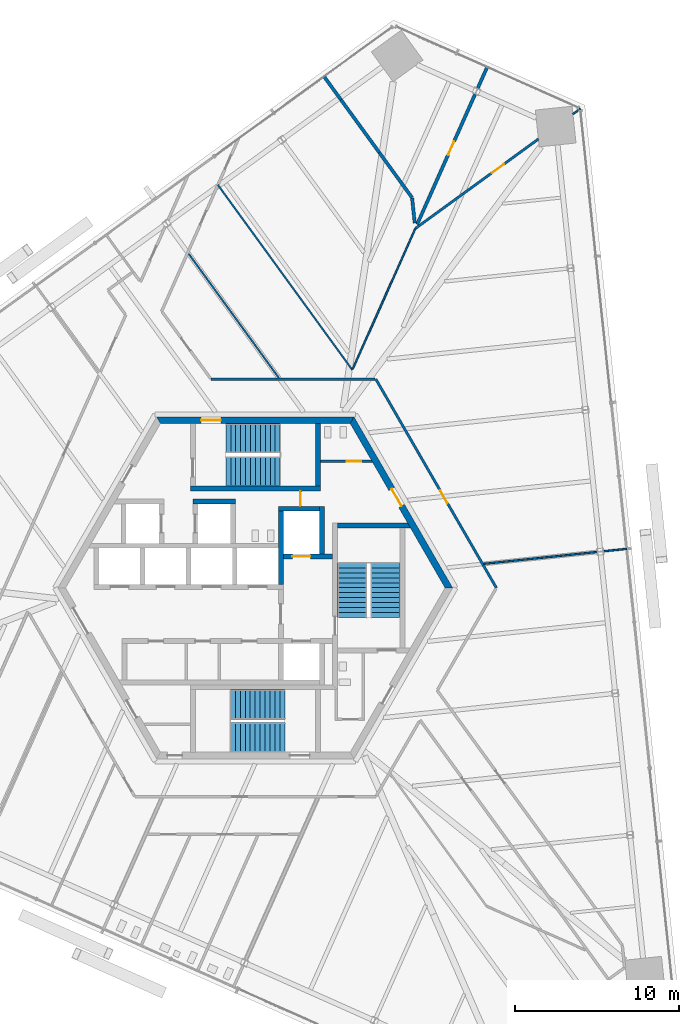
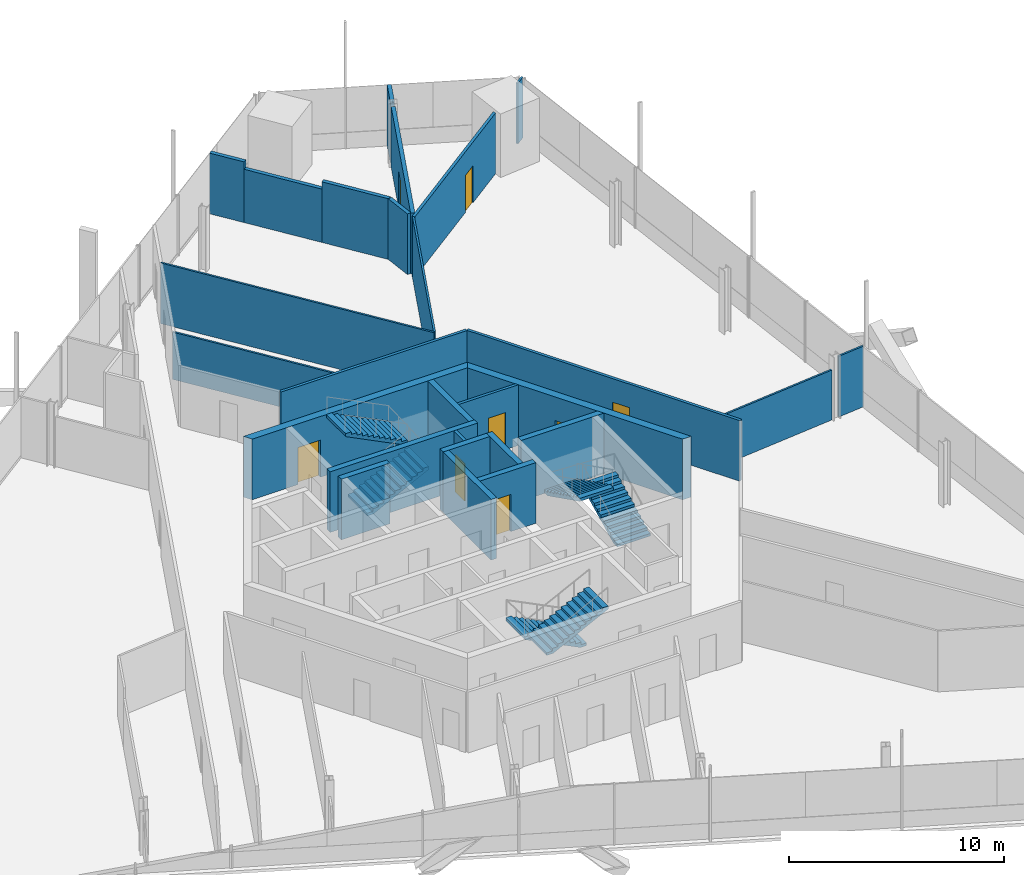
# One storey, part 14 of 21: 27 walls, 8 doors, 6 stair flights, 8 openings, 3 elements without a shape of their own.
"""IFC4 building model written with IfcOpenShell, lengths in metres."""

from ifc_helpers import new_model, si_unit, direction, frame, frame_2d, origin, place, context, subcontext, project, spatial, polyline, rectangle, outline, extrude, source, transform, mapped, material, layer, layer_set, type_object, element, fill, aggregate, save


model = new_model("IFC4")

# Units and contexts
model_context = context("Model", 3, precision=1e-05, world=origin(), true_north=direction((0.0, 1.0)))
body_context = subcontext(model_context, "Body", "Model", "MODEL_VIEW")
ifc_project = project(units=[si_unit("LENGTHUNIT", "METRE"), si_unit("AREAUNIT", "SQUARE_METRE"), si_unit("VOLUMEUNIT", "CUBIC_METRE"), si_unit("PLANEANGLEUNIT", "RADIAN"), si_unit("MASSUNIT", "GRAM", prefix="KILO")], contexts=[model_context])

# Site, building, storey
site_placement = place(None, origin())
site = spatial("IfcSite", under=ifc_project, at=site_placement, CompositionType="ELEMENT")
building_placement = place(site_placement, origin())
building = spatial("IfcBuilding", under=site, at=building_placement, Name="Triune Harvest Tower", CompositionType="ELEMENT")
storey_placement = place(building_placement, frame((0.0, 0.0, 72.89990234375)))
storey = spatial("IfcBuildingStorey", under=building, at=storey_placement, Name="L17", CompositionType="ELEMENT", Elevation=72.89990234375)

# Wall
ifc_material_1 = material(Name="Gypsum board on steel studs", Category="steel")
ifc_layer_1 = layer(ifc_material_1, 0.14990234375)
ifc_layer_set_1 = layer_set([ifc_layer_1], Name="Gypsum board on steel studs")
wall_type_1 = type_object("IfcWallType", Name="Fire Partition 150 mm", PredefinedType="PARTITIONING", material=ifc_layer_set_1)
wall_1_placement = place(storey_placement, frame((-2.693603515625, 12.6923828125, 0.0), z_axis=(0.0, 0.0, 1.0), x_axis=(1.0, 0.0, 0.0)))
element("IfcWall", 1, at=wall_1_placement, inside=storey, type_object=wall_type_1, Name="Partition L17 021", PredefinedType="PARTITIONING", context=body_context, shape_type="SweptSolid", body=[
    extrude(rectangle(XDim=9.971435546875, YDim=0.14990234375, at=frame_2d((4.98583984375, 0.0))), origin(), (0.0, 0.0, 1.0), 3.440185546875),
])

# Wall, opening, door
wall_2_placement = place(storey_placement, frame((9.736328125, 21.855712890625, 0.0), z_axis=(0.0, 0.0, 1.0), x_axis=(0.809001956187, 0.587805950025, 0.0)))
wall_2 = element("IfcWall", 2, at=wall_2_placement, inside=storey, type_object=wall_type_1, Name="Partition L17 026", PredefinedType="PARTITIONING", context=body_context, shape_type="SweptSolid", body=[
    extrude(rectangle(XDim=9.249267578125, YDim=0.14990234375, at=frame_2d((4.62451171875, 0.0))), origin(), (0.0, 0.0, 1.0), 3.440185546875),
])
opening_1_placement = place(wall_2_placement, frame((5.740234375, 0.0, 0.0)))
opening_1 = element("IfcOpeningElement", 3, at=opening_1_placement, cuts=wall_2, Name="Opening L17-004", PredefinedType="OPENING", context=body_context, shape_type="SweptSolid", body=[
    extrude(rectangle(XDim=0.89990234375, YDim=2.10009765625, at=frame_2d((0.449951171875, 1.050048828125))), frame((0.0, 0.0849609375, 0.0), z_axis=(0.0, -1.0, 0.0), x_axis=(1.0, 0.0, 0.0)), (0.0, 0.0, 1.0), 0.169921875),
])
ifc_material_2 = material(Name="Timber and steel door set", Category="steel")
door_type_1 = type_object("IfcDoorType", Name="Single leaf door FD30 right hand 900 x 2100", OperationType="SINGLE_SWING_RIGHT", PredefinedType="DOOR", material=ifc_material_2)
door_1_placement = place(opening_1_placement, origin())
door_1 = element("IfcDoor", 4, at=door_1_placement, inside=storey, type_object=door_type_1, Name="Door L17-004 Specimen Store 17.04", OperationType="SINGLE_SWING_RIGHT", OverallHeight=2.10009765625, OverallWidth=0.89990234375, PredefinedType="DOOR", context=body_context, shape_type="SweptSolid", body=[
    extrude(rectangle(XDim=0.89990234375, YDim=2.10009765625, at=frame_2d((0.449951171875, 1.050048828125))), frame((0.0, 0.02490234375, 0.0), z_axis=(0.0, -1.0, 0.0), x_axis=(1.0, 0.0, 0.0)), (0.0, 0.0, 1.0), 0.050048828125),
])
fill(opening_1, door_1)

# Walls
ifc_material_3 = material(Name="Gypsum board on steel studs", Category="steel")
ifc_layer_2 = layer(ifc_material_3, 0.199951171875)
ifc_layer_set_2 = layer_set([ifc_layer_2], Name="Gypsum board on steel studs")
wall_type_2 = type_object("IfcWallType", Name="Fire Wall 200 mm", PredefinedType="PARTITIONING", material=ifc_layer_set_2)
wall_3_placement = place(storey_placement, frame((9.5341796875, 23.6943359375, 0.0), z_axis=(0.0, 0.0, 1.0), x_axis=(0.104576410013, -0.994516854794, 0.0)))
element("IfcWall", 5, at=wall_3_placement, inside=storey, type_object=wall_type_2, Name="Partition L17 001", PredefinedType="PARTITIONING", context=body_context, shape_type="SweptSolid", body=[
    extrude(rectangle(XDim=1.5244140625, YDim=0.199951171875, at=frame_2d((0.76220703125, 0.0))), origin(), (0.0, 0.0, 1.0), 3.440185546875),
])
wall_4_placement = place(storey_placement, frame((4.17822265625, 31.091796875, 0.0), z_axis=(0.0, 0.0, 1.0), x_axis=(0.587775232345, -0.809024274198, 0.0)))
element("IfcWall", 6, at=wall_4_placement, inside=storey, type_object=wall_type_2, Name="Partition L17 017", PredefinedType="PARTITIONING", context=body_context, shape_type="SweptSolid", body=[
    extrude(rectangle(XDim=1.7578125, YDim=0.199951171875, at=frame_2d((0.87890625, 0.0))), origin(), (0.0, 0.0, 1.0), 3.440185546875),
])
wall_5_placement = place(storey_placement, frame((5.21142578125, 29.669677734375, 0.0), z_axis=(0.0, 0.0, 1.0), x_axis=(0.587818894271, -0.808992550978, 0.0)))
element("IfcWall", 7, at=wall_5_placement, inside=storey, type_object=wall_type_2, Name="Partition L17 017a", PredefinedType="PARTITIONING", context=body_context, shape_type="SweptSolid", body=[
    extrude(rectangle(XDim=3.95068359375, YDim=0.199951171875, at=frame_2d((1.975341796875, 0.0))), origin(), (0.0, 0.0, 1.0), 3.0234375),
])
wall_6_placement = place(storey_placement, frame((7.53369140625, 26.4736328125, 0.0), z_axis=(0.0, 0.0, 1.0), x_axis=(0.587770114755, -0.809027992223, 0.0)))
element("IfcWall", 8, at=wall_6_placement, inside=storey, type_object=wall_type_2, Name="Partition L17 017b", PredefinedType="PARTITIONING", context=body_context, shape_type="SweptSolid", body=[
    extrude(rectangle(XDim=3.3984375, YDim=0.199951171875, at=frame_2d((1.69921875, 0.0))), origin(), (0.0, 0.0, 1.0), 3.440185546875),
])

# Wall, opening, door
wall_7_placement = place(storey_placement, frame((9.842041015625, 22.105712890625, 0.0), z_axis=(0.0, 0.0, 1.0), x_axis=(0.406731671109, 0.913547671289, 0.0)))
wall_7 = element("IfcWall", 9, at=wall_7_placement, inside=storey, type_object=wall_type_2, Name="Partition L17 038", PredefinedType="PARTITIONING", context=body_context, shape_type="SweptSolid", body=[
    extrude(rectangle(XDim=8.6669921875, YDim=0.199951171875, at=frame_2d((4.33349609375, 0.0))), origin(), (0.0, 0.0, 1.0), 3.440185546875),
])
opening_2_placement = place(wall_7_placement, frame((4.60888671875, 0.0, 0.0)))
opening_2 = element("IfcOpeningElement", 10, at=opening_2_placement, cuts=wall_7, Name="Opening L17-005", PredefinedType="OPENING", context=body_context, shape_type="SweptSolid", body=[
    extrude(rectangle(XDim=0.89990234375, YDim=2.10009765625, at=frame_2d((0.449951171875, 1.050048828125))), frame((0.0, 0.10986328125, 0.0), z_axis=(0.0, -1.0, 0.0), x_axis=(1.0, 0.0, 0.0)), (0.0, 0.0, 1.0), 0.219970703125),
])
ifc_material_4 = material(Name="Timber and steel door set", Category="steel")
door_type_2 = type_object("IfcDoorType", Name="Single leaf door FD60 right hand 900 x 2100", OperationType="SINGLE_SWING_RIGHT", PredefinedType="DOOR", material=ifc_material_4)
door_2_placement = place(opening_2_placement, origin())
door_2 = element("IfcDoor", 11, at=door_2_placement, inside=storey, type_object=door_type_2, Name="Door L17-005 Commercial Trial Kitchen 17.05", OperationType="SINGLE_SWING_RIGHT", OverallHeight=2.10009765625, OverallWidth=0.89990234375, PredefinedType="DOOR", context=body_context, shape_type="SweptSolid", body=[
    extrude(rectangle(XDim=0.89990234375, YDim=2.10009765625, at=frame_2d((0.449951171875, 1.050048828125))), frame((0.0, 0.02490234375, 0.0), z_axis=(0.0, -1.0, 0.0), x_axis=(1.0, 0.0, 0.0)), (0.0, 0.0, 1.0), 0.050048828125),
])
fill(opening_2, door_2)

# Walls
wall_8_placement = place(storey_placement, frame((13.51904296875, 30.36474609375, 0.0), z_axis=(0.0, 0.0, 1.0), x_axis=(0.40676126154, 0.913534496399, 0.0)))
element("IfcWall", 12, at=wall_8_placement, inside=storey, type_object=wall_type_2, Name="Partition L17 039", PredefinedType="PARTITIONING", context=body_context, shape_type="SweptSolid", body=[
    extrude(rectangle(XDim=1.418212890625, YDim=0.199951171875, at=frame_2d((0.708984375, 0.0))), origin(), (0.0, 0.0, 1.0), 3.440185546875),
])
ifc_material_5 = material(Name="Gypsum board on steel studs", Category="steel")
ifc_layer_3 = layer(ifc_material_5, 0.10009765625)
ifc_layer_set_3 = layer_set([ifc_layer_3], Name="Gypsum board on steel studs")
wall_type_3 = type_object("IfcWallType", Name="Partition 100 mm", PredefinedType="PARTITIONING", material=ifc_layer_set_3)
wall_9_placement = place(storey_placement, frame((-2.27490234375, 24.5, 0.0), z_axis=(0.0, 0.0, 1.0), x_axis=(0.587779130347, -0.809021442193, 0.0)))
element("IfcWall", 13, at=wall_9_placement, inside=storey, type_object=wall_type_3, Name="Partition L17 016", PredefinedType="PARTITIONING", context=body_context, shape_type="SweptSolid", body=[
    extrude(rectangle(XDim=13.90625, YDim=0.10009765625, at=frame_2d((6.953125, 0.0))), origin(), (0.0, 0.0, 1.0), 3.440185546875),
])
wall_10_placement = place(storey_placement, frame((21.162841796875, 2.224365234375, 0.0), z_axis=(0.0, 0.0, 1.0), x_axis=(0.994527123793, 0.104478706151, 0.0)))
element("IfcWall", 14, at=wall_10_placement, inside=storey, type_object=wall_type_3, Name="Partition L17 024", PredefinedType="PARTITIONING", context=body_context, shape_type="SweptSolid", body=[
    extrude(rectangle(XDim=1.41845703125, YDim=0.10009765625, at=frame_2d((0.709228515625, 0.0))), origin(), (0.0, 0.0, 1.0), 3.440185546875),
])
wall_11_placement = place(storey_placement, frame((19.30224609375, 28.805908203125, 0.0), z_axis=(0.0, 0.0, 1.0), x_axis=(0.809015719363, 0.587787007192, 0.0)))
element("IfcWall", 15, at=wall_11_placement, inside=storey, type_object=wall_type_3, Name="Partition L17 027", PredefinedType="PARTITIONING", context=body_context, shape_type="SweptSolid", body=[
    extrude(rectangle(XDim=0.566162109375, YDim=0.10009765625, at=frame_2d((0.283203125, 0.0))), origin(), (0.0, 0.0, 1.0), 3.440185546875),
])
wall_12_placement = place(storey_placement, frame((5.923583984375, 13.304443359375, 0.0), z_axis=(0.0, 0.0, 1.0), x_axis=(0.406717160043, 0.913554131799, 0.0)))
element("IfcWall", 16, at=wall_12_placement, inside=storey, type_object=wall_type_3, Name="Partition L17 037", PredefinedType="PARTITIONING", context=body_context, shape_type="SweptSolid", body=[
    extrude(rectangle(XDim=9.35400390625, YDim=0.10009765625, at=frame_2d((4.677001953125, 0.0))), origin(), (0.0, 0.0, 1.0), 3.440185546875),
])

# Wall, opening, door
ifc_material_6 = material(Name="Concrete 70 MPa", Category="concrete")
ifc_layer_4 = layer(ifc_material_6, 0.39990234375)
ifc_layer_set_4 = layer_set([ifc_layer_4], Name="Concrete 70 MPa")
wall_type_4 = type_object("IfcWallType", Name="Core wall 400", PredefinedType="SHEAR", material=ifc_layer_set_4)
shared_shape_1 = source(origin(), body_context, "Body", "SweptSolid", [
    extrude(outline(polyline([(-0.115478515625, -0.199951171875), (11.884521484375, -0.199951171875), (11.653564453125, 0.199951171875), (0.115478515625, 0.199951171875), (-0.115478515625, -0.199951171875)])), origin(), (0.0, 0.0, 1.0), 3.440185546875),
])
wall_13_placement = place(storey_placement, frame((11.76904296875, 0.0, 0.0), z_axis=(0.0, 0.0, 1.0), x_axis=(-0.499996592174, 0.866027371285, 0.0)))
wall_13 = element("IfcWall", 17, at=wall_13_placement, inside=storey, type_object=wall_type_4, Name="Hexagon 0 wall", PredefinedType="SHEAR", context=body_context, shape_type="MappedRepresentation", body=[
    mapped(shared_shape_1, transform((0.0, 0.0, 0.0), scale=1.0)),
])
opening_3_placement = place(wall_13_placement, frame((5.75048828125, 0.0, 0.0)))
opening_3 = element("IfcOpeningElement", 18, at=opening_3_placement, cuts=wall_13, Name="Opening CD-WCP", PredefinedType="OPENING", context=body_context, shape_type="SweptSolid", body=[
    extrude(rectangle(XDim=1.199951171875, YDim=2.10009765625, at=frame_2d((0.60009765625, 1.050048828125))), frame((0.0, 0.2099609375, 0.0), z_axis=(0.0, -1.0, 0.0), x_axis=(1.0, 0.0, 0.0)), (0.0, 0.0, 1.0), 0.419921875),
])
ifc_material_7 = material(Name="Steel S235", Category="steel")
door_type_3 = type_object("IfcDoorType", Name="Lobby door 1200 FD120", OperationType="SINGLE_SWING_LEFT", PredefinedType="DOOR", material=ifc_material_7)
door_3_placement = place(opening_3_placement, frame((1.199951171875, 0.0, 0.0), z_axis=(0.0, 0.0, 1.0), x_axis=(-1.0, 0.0, 0.0)))
door_3 = element("IfcDoor", 19, at=door_3_placement, inside=storey, type_object=door_type_3, Name="Door CD-WCP", OperationType="SINGLE_SWING_RIGHT", OverallHeight=2.10009765625, OverallWidth=1.199951171875, PredefinedType="DOOR", context=body_context, shape_type="SweptSolid", body=[
    extrude(rectangle(XDim=1.199951171875, YDim=2.10009765625, at=frame_2d((0.60009765625, 1.050048828125))), frame((0.0, 0.02490234375, 0.0), z_axis=(0.0, -1.0, 0.0), x_axis=(1.0, 0.0, 0.0)), (0.0, 0.0, 1.0), 0.050048828125),
])
fill(opening_3, door_3)

wall_14_placement = place(storey_placement, frame((5.884521484375, 10.1923828125, 0.0), z_axis=(0.0, 0.0, 1.0), x_axis=(-1.0, 0.0, 0.0)))
wall_14 = element("IfcWall", 20, at=wall_14_placement, inside=storey, type_object=wall_type_4, Name="Hexagon 1 wall", PredefinedType="SHEAR", context=body_context, shape_type="MappedRepresentation", body=[
    mapped(shared_shape_1, transform((0.0, 0.0, 0.0), scale=1.0)),
])
opening_4_placement = place(wall_14_placement, frame((7.984619140625, 0.0, 0.0)))
opening_4 = element("IfcOpeningElement", 21, at=opening_4_placement, cuts=wall_14, Name="Opening CD-S1P", PredefinedType="OPENING", context=body_context, shape_type="SweptSolid", body=[
    extrude(rectangle(XDim=1.199951171875, YDim=2.10009765625, at=frame_2d((0.60009765625, 1.050048828125))), frame((0.0, 0.2099609375, 0.0), z_axis=(0.0, -1.0, 0.0), x_axis=(1.0, 0.0, 0.0)), (0.0, 0.0, 1.0), 0.419921875),
])
ifc_material_8 = material(Name="Steel S235", Category="steel")
door_type_4 = type_object("IfcDoorType", Name="Stair door 1200 FD120", OperationType="SINGLE_SWING_LEFT", PredefinedType="DOOR", material=ifc_material_8)
door_4_placement = place(opening_4_placement, frame((1.199951171875, 0.0, 0.0), z_axis=(0.0, 0.0, 1.0), x_axis=(-1.0, 0.0, 0.0)))
door_4 = element("IfcDoor", 22, at=door_4_placement, inside=storey, type_object=door_type_4, Name="Door CD-S1P", OperationType="SINGLE_SWING_RIGHT", OverallHeight=2.10009765625, OverallWidth=1.199951171875, PredefinedType="DOOR", context=body_context, shape_type="SweptSolid", body=[
    extrude(rectangle(XDim=1.199951171875, YDim=2.10009765625, at=frame_2d((0.60009765625, 1.050048828125))), frame((0.0, 0.02490234375, 0.0), z_axis=(0.0, -1.0, 0.0), x_axis=(1.0, 0.0, 0.0)), (0.0, 0.0, 1.0), 0.050048828125),
])
fill(opening_4, door_4)

# Walls
ifc_material_9 = material(Name="Concrete 70 MPa", Category="concrete")
ifc_layer_5 = layer(ifc_material_9, 0.300048828125)
ifc_layer_set_5 = layer_set([ifc_layer_5], Name="Concrete 70 MPa")
wall_type_5 = type_object("IfcWallType", Name="Core wall 300", PredefinedType="SHEAR", material=ifc_layer_set_5)
shared_shape_2 = source(origin(), body_context, "Body", "SweptSolid", [
    extrude(rectangle(XDim=2.5, YDim=0.300048828125, at=frame_2d((1.25, 0.0))), origin(), (0.0, 0.0, 1.0), 3.440185546875),
])
wall_15_placement = place(storey_placement, frame((1.39990234375, 4.81005859375, 0.0), z_axis=(0.0, 0.0, 1.0), x_axis=(1.0, 0.0, 0.0)))
element("IfcWall", 23, at=wall_15_placement, inside=storey, type_object=wall_type_5, Name="Ff1 back wall", PredefinedType="SHEAR", context=body_context, shape_type="MappedRepresentation", body=[
    mapped(shared_shape_2, transform((0.0, 0.0, 0.0), scale=1.0)),
])
shared_shape_3 = source(origin(), body_context, "Body", "SweptSolid", [
    extrude(rectangle(XDim=4.449951171875, YDim=0.300048828125, at=frame_2d((2.22509765625, 0.0))), origin(), (0.0, 0.0, 1.0), 3.440185546875),
])
wall_16_placement = place(storey_placement, frame((1.550048828125, 0.2099609375, 0.0), z_axis=(0.0, 0.0, 1.0), x_axis=(0.0, 1.0, 0.0)))
element("IfcWall", 24, at=wall_16_placement, inside=storey, type_object=wall_type_5, Name="Ff1 west wall", PredefinedType="SHEAR", context=body_context, shape_type="MappedRepresentation", body=[
    mapped(shared_shape_3, transform((0.0, 0.0, 0.0), scale=1.0)),
])

# Wall, opening, door
shared_shape_4 = source(origin(), body_context, "Body", "SweptSolid", [
    extrude(rectangle(XDim=3.0, YDim=0.300048828125, at=frame_2d((1.5, 0.0))), origin(), (0.0, 0.0, 1.0), 3.440185546875),
])
wall_17_placement = place(storey_placement, frame((1.699951171875, 1.909912109375, 0.0), z_axis=(0.0, 0.0, 1.0), x_axis=(1.0, 0.0, 0.0)))
wall_17 = element("IfcWall", 25, at=wall_17_placement, inside=storey, type_object=wall_type_5, Name="Ff1 front wall", PredefinedType="SHEAR", context=body_context, shape_type="MappedRepresentation", body=[
    mapped(shared_shape_4, transform((0.0, 0.0, 0.0), scale=1.0)),
])
opening_5_placement = place(wall_17_placement, frame((0.550048828125, 0.0, 0.0)))
opening_5 = element("IfcOpeningElement", 26, at=opening_5_placement, cuts=wall_17, Name="Opening LD-FF1-17", PredefinedType="OPENING", context=body_context, shape_type="SweptSolid", body=[
    extrude(rectangle(XDim=1.10009765625, YDim=2.10009765625, at=frame_2d((0.550048828125, 1.050048828125))), frame((0.0, 0.16015625, 0.0), z_axis=(0.0, -1.0, 0.0), x_axis=(1.0, 0.0, 0.0)), (0.0, 0.0, 1.0), 0.320068359375),
])
ifc_material_10 = material(Name="Stainless steel AISI 304", Category="steel")
door_type_5 = type_object("IfcDoorType", Name="Landing door 1100 x 2100", OperationType="DOUBLE_DOOR_SLIDING", PredefinedType="DOOR", material=ifc_material_10)
door_5_placement = place(opening_5_placement, origin())
door_5 = element("IfcDoor", 27, at=door_5_placement, inside=storey, type_object=door_type_5, Name="Door LD-FF1-17", OperationType="DOUBLE_DOOR_SLIDING", OverallHeight=2.10009765625, OverallWidth=1.10009765625, PredefinedType="DOOR", context=body_context, shape_type="SweptSolid", body=[
    extrude(rectangle(XDim=1.10009765625, YDim=2.10009765625, at=frame_2d((0.550048828125, 1.050048828125))), frame((0.0, 0.02490234375, 0.0), z_axis=(0.0, -1.0, 0.0), x_axis=(1.0, 0.0, 0.0)), (0.0, 0.0, 1.0), 0.050048828125),
])
fill(opening_5, door_5)

# Walls
shared_shape_5 = source(origin(), body_context, "Body", "SweptSolid", [
    extrude(rectangle(XDim=2.89990234375, YDim=0.300048828125, at=frame_2d((1.449951171875, 0.0))), origin(), (0.0, 0.0, 1.0), 3.440185546875),
])
wall_18_placement = place(storey_placement, frame((4.050048828125, 2.06005859375, 0.0), z_axis=(0.0, 0.0, 1.0), x_axis=(0.0, 1.0, 0.0)))
element("IfcWall", 28, at=wall_18_placement, inside=storey, type_object=wall_type_5, Name="Ff1 east wall", PredefinedType="SHEAR", context=body_context, shape_type="MappedRepresentation", body=[
    mapped(shared_shape_5, transform((0.0, 0.0, 0.0), scale=1.0)),
])
shared_shape_6 = source(origin(), body_context, "Body", "SweptSolid", [
    extrude(outline(polyline([(0.0, -0.14990234375), (0.0, 0.14990234375), (4.260009765625, 0.14990234375), (4.43310546875, -0.14990234375), (0.0, -0.14990234375)])), origin(), (0.0, 0.0, 1.0), 3.440185546875),
])
wall_19_placement = place(storey_placement, frame((5.0, 3.800048828125, 0.0), z_axis=(0.0, 0.0, 1.0), x_axis=(1.0, 0.0, 0.0)))
element("IfcWall", 29, at=wall_19_placement, inside=storey, type_object=wall_type_5, Name="Stair e north wall", PredefinedType="SHEAR", context=body_context, shape_type="MappedRepresentation", body=[
    mapped(shared_shape_6, transform((0.0, 0.0, 0.0), scale=1.0)),
])
shared_shape_7 = source(origin(), body_context, "Body", "SweptSolid", [
    extrude(rectangle(XDim=7.89990234375, YDim=0.300048828125, at=frame_2d((3.949951171875, 0.0))), origin(), (0.0, 0.0, 1.0), 3.440185546875),
])
wall_20_placement = place(storey_placement, frame((-3.949951171875, 6.0400390625, 0.0), z_axis=(0.0, 0.0, 1.0), x_axis=(1.0, 0.0, 0.0)))
element("IfcWall", 30, at=wall_20_placement, inside=storey, type_object=wall_type_5, Name="Stair n south wall", PredefinedType="SHEAR", context=body_context, shape_type="MappedRepresentation", body=[
    mapped(shared_shape_7, transform((0.0, 0.0, 0.0), scale=1.0)),
])
shared_shape_8 = source(origin(), body_context, "Body", "SweptSolid", [
    extrude(outline(polyline([(0.0, -0.14990234375), (0.0, 0.14990234375), (3.80419921875, 0.14990234375), (3.80419921875, -0.14990234375), (0.0, -0.14990234375)])), origin(), (0.0, 0.0, 1.0), 3.440185546875),
])
wall_21_placement = place(storey_placement, frame((3.800048828125, 6.18994140625, 0.0), z_axis=(0.0, 0.0, 1.0), x_axis=(0.0, 1.0, 0.0)))
element("IfcWall", 31, at=wall_21_placement, inside=storey, type_object=wall_type_5, Name="Stair n east wall", PredefinedType="SHEAR", context=body_context, shape_type="MappedRepresentation", body=[
    mapped(shared_shape_8, transform((0.0, 0.0, 0.0), scale=1.0)),
])
shared_shape_9 = source(origin(), body_context, "Body", "SweptSolid", [
    extrude(rectangle(XDim=2.60009765625, YDim=0.300048828125, at=frame_2d((1.300048828125, 0.0))), origin(), (0.0, 0.0, 1.0), 3.440185546875),
])
wall_22_placement = place(storey_placement, frame((-3.800048828125, 5.260009765625, 0.0), z_axis=(0.0, 0.0, 1.0), x_axis=(1.0, 0.0, 0.0)))
element("IfcWall", 32, at=wall_22_placement, inside=storey, type_object=wall_type_5, Name="Sv2 north wall", PredefinedType="SHEAR", context=body_context, shape_type="MappedRepresentation", body=[
    mapped(shared_shape_9, transform((0.0, 0.0, 0.0), scale=1.0)),
])

# Wall, opening, door
ifc_material_11 = material(Name="Concrete masonry unit", Category="masonry")
ifc_layer_6 = layer(ifc_material_11, 0.14990234375)
ifc_layer_set_6 = layer_set([ifc_layer_6], Name="Concrete masonry unit")
wall_type_6 = type_object("IfcWallType", Name="Block partition 150 unrated", PredefinedType="PARTITIONING", material=ifc_layer_set_6)
shared_shape_10 = source(origin(), body_context, "Body", "SweptSolid", [
    extrude(outline(polyline([(0.0, -0.074951171875), (0.0, 0.074951171875), (3.1015625, 0.074951171875), (3.18798828125, -0.074951171875), (0.0, -0.074951171875)])), origin(), (0.0, 0.0, 1.0), 3.440185546875),
])
wall_23_placement = place(storey_placement, frame((3.949951171875, 7.699951171875, 0.0), z_axis=(0.0, 0.0, 1.0), x_axis=(1.0, 0.0, 0.0)))
wall_23 = element("IfcWall", 33, at=wall_23_placement, inside=storey, type_object=wall_type_6, Name="Wc women south wall", PredefinedType="PARTITIONING", context=body_context, shape_type="MappedRepresentation", body=[
    mapped(shared_shape_10, transform((0.0, 0.0, 0.0), scale=1.0)),
])
opening_6_placement = place(wall_23_placement, frame((1.60009765625, 0.0, 0.0)))
opening_6 = element("IfcOpeningElement", 34, at=opening_6_placement, cuts=wall_23, Name="Opening CD-WW", PredefinedType="OPENING", context=body_context, shape_type="SweptSolid", body=[
    extrude(rectangle(XDim=0.89990234375, YDim=2.10009765625, at=frame_2d((0.449951171875, 1.050048828125))), frame((0.0, 0.0849609375, 0.0), z_axis=(0.0, -1.0, 0.0), x_axis=(1.0, 0.0, 0.0)), (0.0, 0.0, 1.0), 0.169921875),
])
ifc_material_12 = material(Name="Timber C24", Category="wood")
door_type_6 = type_object("IfcDoorType", Name="WC door 900", OperationType="SINGLE_SWING_LEFT", PredefinedType="DOOR", material=ifc_material_12)
door_6_placement = place(opening_6_placement, origin())
door_6 = element("IfcDoor", 35, at=door_6_placement, inside=storey, type_object=door_type_6, Name="Door CD-WW", OperationType="SINGLE_SWING_LEFT", OverallHeight=2.10009765625, OverallWidth=0.89990234375, PredefinedType="DOOR", context=body_context, shape_type="SweptSolid", body=[
    extrude(rectangle(XDim=0.89990234375, YDim=2.10009765625, at=frame_2d((0.449951171875, 1.050048828125))), frame((0.0, 0.02490234375, 0.0), z_axis=(0.0, -1.0, 0.0), x_axis=(1.0, 0.0, 0.0)), (0.0, 0.0, 1.0), 0.050048828125),
])
fill(opening_6, door_6)

shared_shape_11 = source(origin(), body_context, "Body", "SweptSolid", [
    extrude(rectangle(XDim=0.929931640625, YDim=0.14990234375, at=frame_2d((0.46484375, 0.0))), origin(), (0.0, 0.0, 1.0), 3.440185546875),
])
wall_24_placement = place(storey_placement, frame((2.75, 4.9599609375, 0.0), z_axis=(0.0, 0.0, 1.0), x_axis=(0.0, 1.0, 0.0)))
wall_24 = element("IfcWall", 36, at=wall_24_placement, inside=storey, type_object=wall_type_6, Name="Wc men east b wall", PredefinedType="PARTITIONING", context=body_context, shape_type="MappedRepresentation", body=[
    mapped(shared_shape_11, transform((0.0, 0.0, 0.0), scale=1.0)),
])
opening_7_placement = place(wall_24_placement, frame((0.014892578125, 0.0, 0.0)))
opening_7 = element("IfcOpeningElement", 37, at=opening_7_placement, cuts=wall_24, Name="Opening CD-WM", PredefinedType="OPENING", context=body_context, shape_type="SweptSolid", body=[
    extrude(rectangle(XDim=0.89990234375, YDim=2.10009765625, at=frame_2d((0.449951171875, 1.050048828125))), frame((0.0, 0.0849609375, 0.0), z_axis=(0.0, -1.0, 0.0), x_axis=(1.0, 0.0, 0.0)), (0.0, 0.0, 1.0), 0.169921875),
])
door_7_placement = place(opening_7_placement, origin())
door_7 = element("IfcDoor", 38, at=door_7_placement, inside=storey, type_object=door_type_6, Name="Door CD-WM", OperationType="SINGLE_SWING_LEFT", OverallHeight=2.10009765625, OverallWidth=0.89990234375, PredefinedType="DOOR", context=body_context, shape_type="SweptSolid", body=[
    extrude(rectangle(XDim=0.89990234375, YDim=2.10009765625, at=frame_2d((0.449951171875, 1.050048828125))), frame((0.0, 0.02490234375, 0.0), z_axis=(0.0, -1.0, 0.0), x_axis=(1.0, 0.0, 0.0)), (0.0, 0.0, 1.0), 0.050048828125),
])
fill(opening_7, door_7)

shared_shape_12 = source(origin(), body_context, "Body", "SweptSolid", [
    extrude(rectangle(XDim=14.65576171875, YDim=0.14990234375, at=frame_2d((7.327880859375, 0.0))), origin(), (0.0, 0.0, 1.0), 3.440185546875),
])
wall_25_placement = place(storey_placement, frame((7.327880859375, 12.6923828125, 0.0), z_axis=(0.0, 0.0, 1.0), x_axis=(0.499996429374, -0.866027465277, 0.0)))
wall_25 = element("IfcWall", 39, at=wall_25_placement, inside=storey, type_object=wall_type_1, Name="Partition L17 004", PredefinedType="PARTITIONING", context=body_context, shape_type="MappedRepresentation", body=[
    mapped(shared_shape_12, transform((0.0, 0.0, 0.0), scale=1.0)),
])
opening_8_placement = place(wall_25_placement, frame((7.828857421875, 0.0, 0.0)))
opening_8 = element("IfcOpeningElement", 40, at=opening_8_placement, cuts=wall_25, Name="Opening L17-003", PredefinedType="OPENING", context=body_context, shape_type="SweptSolid", body=[
    extrude(rectangle(XDim=0.89990234375, YDim=2.10009765625, at=frame_2d((0.449951171875, 1.050048828125))), frame((0.0, 0.0849609375, 0.0), z_axis=(0.0, -1.0, 0.0), x_axis=(1.0, 0.0, 0.0)), (0.0, 0.0, 1.0), 0.169921875),
])
door_8_placement = place(opening_8_placement, origin())
door_8 = element("IfcDoor", 41, at=door_8_placement, inside=storey, type_object=door_type_1, Name="Door L17-003 Food Laboratory 17.03", OperationType="SINGLE_SWING_RIGHT", OverallHeight=2.10009765625, OverallWidth=0.89990234375, PredefinedType="DOOR", context=body_context, shape_type="SweptSolid", body=[
    extrude(rectangle(XDim=0.89990234375, YDim=2.10009765625, at=frame_2d((0.449951171875, 1.050048828125))), frame((0.0, 0.02490234375, 0.0), z_axis=(0.0, -1.0, 0.0), x_axis=(1.0, 0.0, 0.0)), (0.0, 0.0, 1.0), 0.050048828125),
])
fill(opening_8, door_8)

# Walls
shared_shape_13 = source(origin(), body_context, "Body", "SweptSolid", [
    extrude(rectangle(XDim=9.322265625, YDim=0.10009765625, at=frame_2d((4.6611328125, 0.0))), origin(), (0.0, 0.0, 1.0), 2.68310546875),
])
wall_26_placement = place(storey_placement, frame((-4.052734375, 20.315185546875, 0.0), z_axis=(0.0, 0.0, 1.0), x_axis=(0.587779222594, -0.809021375173, 0.0)))
element("IfcWall", 42, at=wall_26_placement, inside=storey, type_object=wall_type_3, Name="Partition L17 015", PredefinedType="PARTITIONING", context=body_context, shape_type="MappedRepresentation", body=[
    mapped(shared_shape_13, transform((0.0, 0.0, 0.0), scale=1.0)),
])
shared_shape_14 = source(origin(), body_context, "Body", "SweptSolid", [
    extrude(rectangle(XDim=6.932373046875, YDim=0.10009765625, at=frame_2d((3.46630859375, 0.0))), origin(), (0.0, 0.0, 1.0), 2.827880859375),
])
wall_27_placement = place(storey_placement, frame((13.89697265625, 1.460693359375, 0.0), z_axis=(0.0, 0.0, 1.0), x_axis=(0.994522036319, 0.1045271222, 0.0)))
element("IfcWall", 43, at=wall_27_placement, inside=storey, type_object=wall_type_3, Name="Partition L17 023", PredefinedType="PARTITIONING", context=body_context, shape_type="MappedRepresentation", body=[
    mapped(shared_shape_14, transform((0.0, 0.0, 0.0), scale=1.0)),
])

# Stair, stair flights
ifc_material_13 = material(Name="Concrete 40 MPa", Category="concrete")
stair_type = type_object("IfcStairType", Name="Exit stair 1800 half turn", PredefinedType="HALF_TURN_STAIR", material=ifc_material_13)
stair_1_placement = place(storey_placement, origin())
stair_1 = element("IfcStair", 44, at=stair_1_placement, inside=storey, type_object=stair_type, Name="Exit stair north", PredefinedType="HALF_TURN_STAIR")
ifc_material_14 = material(Name="Concrete 40 MPa", Category="concrete")
stair_flight_type = type_object("IfcStairFlightType", Name="Stair flight 1800", PredefinedType="STRAIGHT", material=ifc_material_14)
shared_shape_15 = source(origin(), body_context, "Body", "SweptSolid", [
    extrude(outline(polyline([(0.0, 0.0), (0.0, 0.14990234375), (0.300048828125, 0.14990234375), (0.300048828125, 0.300048828125), (0.60009765625, 0.300048828125), (0.60009765625, 0.449951171875), (0.89990234375, 0.449951171875), (0.89990234375, 0.60009765625), (1.199951171875, 0.60009765625), (1.199951171875, 0.75), (1.5, 0.75), (1.5, 0.89990234375), (1.800048828125, 0.89990234375), (1.800048828125, 1.050048828125), (2.10009765625, 1.050048828125), (2.10009765625, 1.199951171875), (2.39990234375, 1.199951171875), (2.39990234375, 1.35009765625), (2.699951171875, 1.35009765625), (2.699951171875, 1.5), (3.0, 1.5), (3.0, 1.64990234375), (3.300048828125, 1.64990234375), (3.300048828125, 1.800048828125), (3.300048828125, 1.482421875), (0.335205078125, 0.0), (0.0, 0.0)])), frame((0.0, 0.89990234375, 0.0), z_axis=(0.0, -1.0, 0.0), x_axis=(1.0, 0.0, 0.0)), (0.0, 0.0, 1.0), 1.800048828125),
])
stair_flight_1_placement = place(storey_placement, frame((-1.7900390625, 7.090087890625, 0.0), z_axis=(0.0, 0.0, 1.0), x_axis=(1.0, 0.0, 0.0)))
stair_flight_1 = element("IfcStairFlight", 45, at=stair_flight_1_placement, type_object=stair_flight_type, Name="ST-1 flight 1", NumberOfRisers=12, NumberOfTreads=11, PredefinedType="STRAIGHT", RiserHeight=0.15, TreadLength=0.3, context=body_context, shape_type="MappedRepresentation", body=[
    mapped(shared_shape_15, transform((0.0, 0.0, 0.0), scale=1.0)),
])
stair_flight_2_placement = place(storey_placement, frame((1.510009765625, 9.090087890625, 1.800048828125), z_axis=(0.0, 0.0, 1.0), x_axis=(-1.0, 0.0, 0.0)))
stair_flight_2 = element("IfcStairFlight", 46, at=stair_flight_2_placement, type_object=stair_flight_type, Name="ST-1 flight 2", NumberOfRisers=12, NumberOfTreads=11, PredefinedType="STRAIGHT", RiserHeight=0.15, TreadLength=0.3, context=body_context, shape_type="MappedRepresentation", body=[
    mapped(shared_shape_15, transform((0.0, 0.0, 0.0), scale=1.0)),
])
aggregate(stair_1, [stair_flight_1, stair_flight_2])

stair_2_placement = place(storey_placement, origin())
stair_2 = element("IfcStair", 47, at=stair_2_placement, inside=storey, type_object=stair_type, Name="Exit stair south", PredefinedType="HALF_TURN_STAIR")
stair_flight_3_placement = place(storey_placement, frame((1.7900390625, -7.090087890625, 0.0), z_axis=(0.0, 0.0, 1.0), x_axis=(-1.0, 0.0, 0.0)))
stair_flight_3 = element("IfcStairFlight", 48, at=stair_flight_3_placement, type_object=stair_flight_type, Name="ST-2 flight 1", NumberOfRisers=12, NumberOfTreads=11, PredefinedType="STRAIGHT", RiserHeight=0.15, TreadLength=0.3, context=body_context, shape_type="MappedRepresentation", body=[
    mapped(shared_shape_15, transform((0.0, 0.0, 0.0), scale=1.0)),
])
stair_flight_4_placement = place(storey_placement, frame((-1.510009765625, -9.090087890625, 1.800048828125), z_axis=(0.0, 0.0, 1.0), x_axis=(1.0, 0.0, 0.0)))
stair_flight_4 = element("IfcStairFlight", 49, at=stair_flight_4_placement, type_object=stair_flight_type, Name="ST-2 flight 2", NumberOfRisers=12, NumberOfTreads=11, PredefinedType="STRAIGHT", RiserHeight=0.15, TreadLength=0.3, context=body_context, shape_type="MappedRepresentation", body=[
    mapped(shared_shape_15, transform((0.0, 0.0, 0.0), scale=1.0)),
])
aggregate(stair_2, [stair_flight_3, stair_flight_4])

stair_3_placement = place(storey_placement, origin())
stair_3 = element("IfcStair", 50, at=stair_3_placement, inside=storey, type_object=stair_type, Name="Exit stair east", PredefinedType="HALF_TURN_STAIR")
stair_flight_5_placement = place(storey_placement, frame((7.89990234375, -1.7900390625, 0.0), z_axis=(0.0, 0.0, 1.0), x_axis=(0.0, 1.0, 0.0)))
stair_flight_5 = element("IfcStairFlight", 51, at=stair_flight_5_placement, type_object=stair_flight_type, Name="ST-3 flight 1", NumberOfRisers=12, NumberOfTreads=11, PredefinedType="STRAIGHT", RiserHeight=0.15, TreadLength=0.3, context=body_context, shape_type="MappedRepresentation", body=[
    mapped(shared_shape_15, transform((0.0, 0.0, 0.0), scale=1.0)),
])
stair_flight_6_placement = place(storey_placement, frame((5.89990234375, 1.510009765625, 1.800048828125), z_axis=(0.0, 0.0, 1.0), x_axis=(0.0, -1.0, 0.0)))
stair_flight_6 = element("IfcStairFlight", 52, at=stair_flight_6_placement, type_object=stair_flight_type, Name="ST-3 flight 2", NumberOfRisers=12, NumberOfTreads=11, PredefinedType="STRAIGHT", RiserHeight=0.15, TreadLength=0.3, context=body_context, shape_type="MappedRepresentation", body=[
    mapped(shared_shape_15, transform((0.0, 0.0, 0.0), scale=1.0)),
])
aggregate(stair_3, [stair_flight_5, stair_flight_6])

save(model, "model.ifc")
